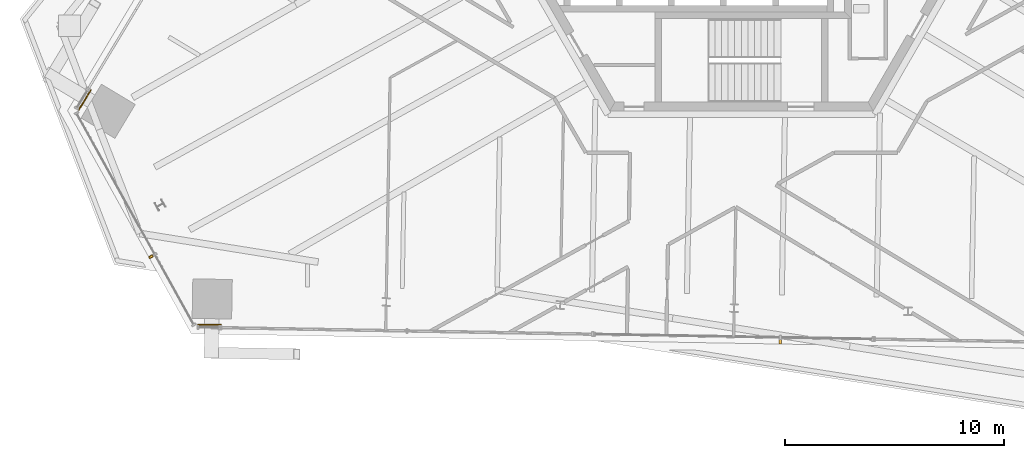
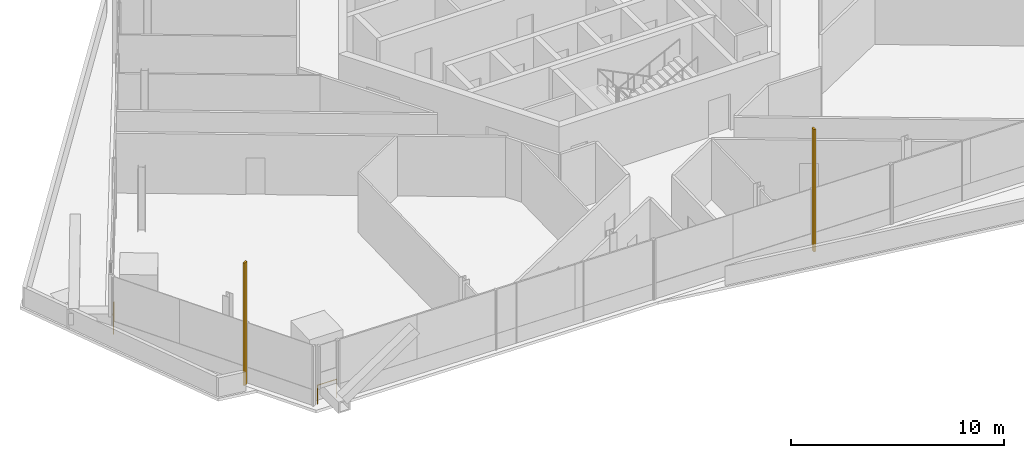
# One storey, part 19 of 22: 2 railings, 2 shading devices.
"""IFC4 building model written with IfcOpenShell, lengths in metres."""

from ifc_helpers import new_model, si_unit, direction, frame, origin, origin_2d, place, context, subcontext, project, spatial, rectangle, circle, extrude, source, transform, mapped, material, type_object, element, save


model = new_model("IFC4")

# Units and contexts
model_context = context("Model", 3, precision=1e-05, world=origin(), true_north=direction((0.0, 1.0)))
body_context = subcontext(model_context, "Body", "Model", "MODEL_VIEW")
ifc_project = project(units=[si_unit("LENGTHUNIT", "METRE"), si_unit("AREAUNIT", "SQUARE_METRE"), si_unit("VOLUMEUNIT", "CUBIC_METRE"), si_unit("PLANEANGLEUNIT", "RADIAN"), si_unit("MASSUNIT", "GRAM", prefix="KILO")], contexts=[model_context])

# Site, building, storey
site_placement = place(None, origin())
site = spatial("IfcSite", under=ifc_project, at=site_placement, CompositionType="ELEMENT")
building_placement = place(site_placement, origin())
building = spatial("IfcBuilding", under=site, at=building_placement, Name="Triune Harvest Tower", CompositionType="ELEMENT")
storey_placement = place(building_placement, frame((0.0, 0.0, 179.89990234375)))
storey = spatial("IfcBuildingStorey", under=building, at=storey_placement, Name="L46", CompositionType="ELEMENT", Elevation=179.89990234375)

# Railing
ifc_material_1 = material(Name="Glass", Category="glass")
railing_type = type_object("IfcRailingType", Name="GD-3 facade guard 1100", PredefinedType="GUARDRAIL", material=ifc_material_1)
railing_1_placement = place(storey_placement, frame((-24.760986328125, -20.1240234375, 0.0)))
element("IfcRailing", 1, at=railing_1_placement, inside=storey, type_object=railing_type, Name="Facade guard B5-F5 L46.1.1", PredefinedType="GUARDRAIL", context=body_context, shape_type="SweptSolid", body=[
    extrude(circle(Radius=0.02392578125, at=origin_2d()), frame((0.0, 0.0, 1.076171875), z_axis=(0.999847001953, -0.017492074912, 0.0), x_axis=(0.017492074912, 0.999847001953, 0.0)), (0.0, 0.0, 1.0), 1.046875),
    extrude(circle(Radius=0.02099609375, at=origin_2d()), origin(), (0.0, 0.0, 1.0), 1.052001953125),
    extrude(circle(Radius=0.02099609375, at=origin_2d()), frame((1.046630859375, -0.018310546875, 0.0)), (0.0, 0.0, 1.0), 1.052001953125),
])

# Shading devices
ifc_material_2 = material(Name="Aluminium bronze anodised", Category="aluminium")
shared_shape_1 = source(origin(), body_context, "Body", "SweptSolid", [
    extrude(rectangle(XDim=0.10009765625, YDim=0.199951171875, at=origin_2d()), origin(), (0.0, 0.0, 1.0), 7.0400390625),
])
for number, where, z_axis, x_axis, name in (
    (2, (-26.903076171875, -17.02783203125, 0.0), (0.0, 0.0, 1.0), (0.484801950362, -0.874623958582, 0.0), "FN-1 fin B5-F4.3 L46"),
    (3, (1.76220703125, -20.9111328125, 0.0), (0.0, 0.0, 1.0), (0.999847708228, -0.017451657526, 0.0), "FN-1 fin B5-F5.7 L46"),
):
    element("IfcShadingDevice", number, at=place(storey_placement, frame(where, z_axis=z_axis, x_axis=x_axis)), inside=storey, material=ifc_material_2, Name=name, ObjectType="FIN", PredefinedType="USERDEFINED", context=body_context, shape_type="MappedRepresentation", body=[
        mapped(shared_shape_1, transform((0.0, 0.0, 0.0), scale=1.0)),
    ])

# Railing
shared_shape_2 = source(origin(), body_context, "Body", "SweptSolid", [
    extrude(circle(Radius=0.02392578125, at=origin_2d()), frame((0.0, 0.0, 1.076171875), z_axis=(-0.515010179054, -0.857184061605, 0.0), x_axis=(0.857184061605, -0.515010179054, 0.0)), (0.0, 0.0, 1.0), 1.046630859375),
    extrude(circle(Radius=0.02099609375, at=origin_2d()), origin(), (0.0, 0.0, 1.0), 1.052001953125),
    extrude(circle(Radius=0.02099609375, at=origin_2d()), frame((-0.5390625, -0.897216796875, 0.0)), (0.0, 0.0, 1.0), 1.052001953125),
])
railing_2_placement = place(storey_placement, frame((-29.648193359375, -9.437255859375, 0.0)))
element("IfcRailing", 4, at=railing_2_placement, inside=storey, type_object=railing_type, Name="Facade guard B5-F3 L46.1.2", PredefinedType="GUARDRAIL", context=body_context, shape_type="MappedRepresentation", body=[
    mapped(shared_shape_2, transform((0.0, 0.0, 0.0), scale=1.0)),
])

save(model, "model.ifc")
